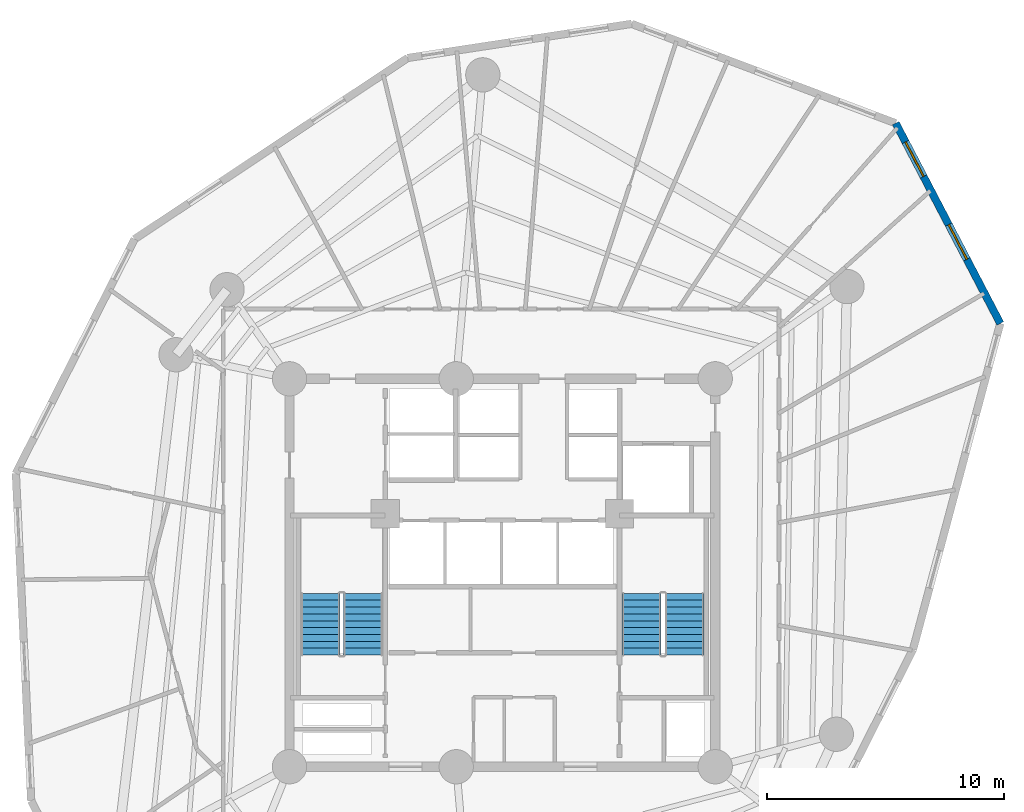
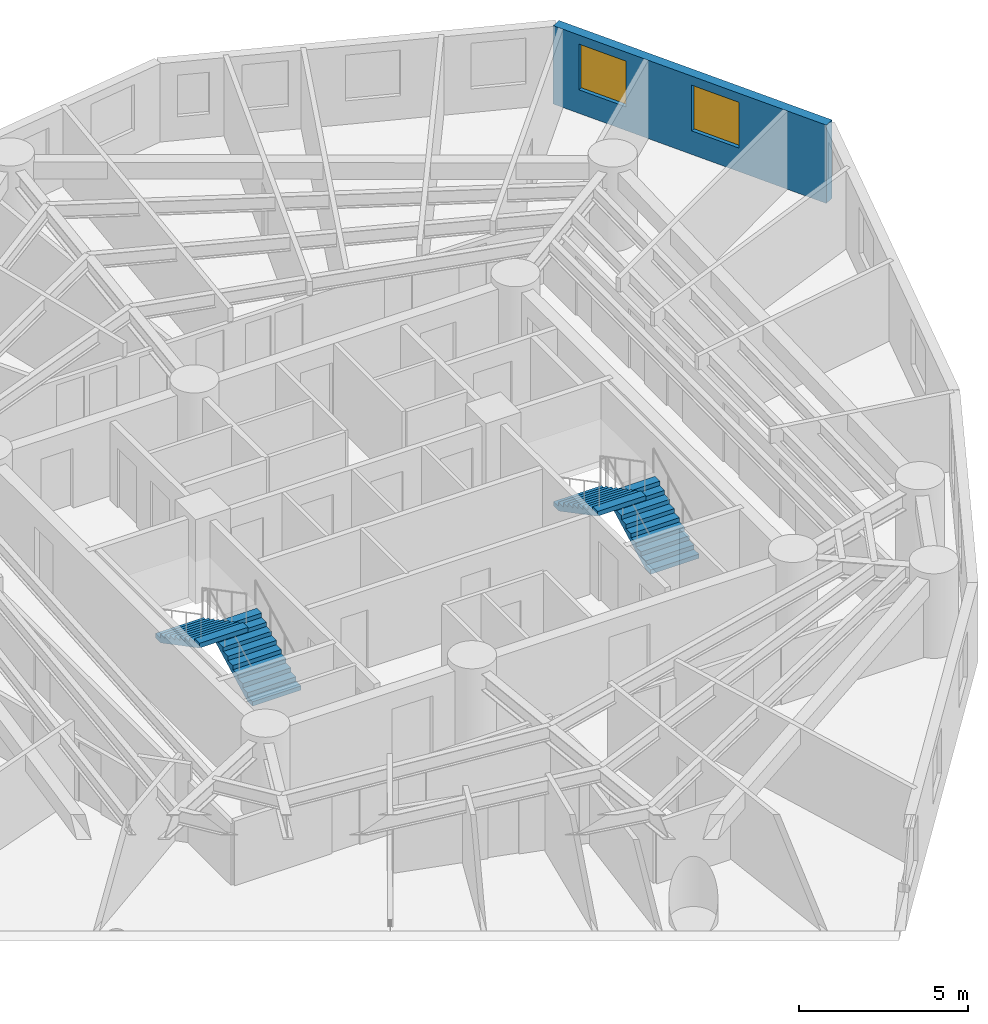
# One storey, part 7 of 8: 4 stair flights, 2 windows, 1 wall, 2 openings, 2 elements without a shape of their own.
"""IFC4 building model written with IfcOpenShell, lengths in metres."""

from ifc_helpers import new_model, si_unit, direction, frame, frame_2d, origin, origin_with_axes, place, context, subcontext, project, spatial, polyline, rectangle, outline, extrude, source, transform, mapped, material, layer, layer_set, type_object, element, fill, aggregate, save


model = new_model("IFC4")

# Units and contexts
model_context = context("Model", 3, precision=1e-05, world=origin(), true_north=direction((0.0, 1.0)))
body_context = subcontext(model_context, "Body", "Model", "MODEL_VIEW")
ifc_project = project(units=[si_unit("LENGTHUNIT", "METRE"), si_unit("AREAUNIT", "SQUARE_METRE"), si_unit("VOLUMEUNIT", "CUBIC_METRE"), si_unit("PLANEANGLEUNIT", "RADIAN"), si_unit("MASSUNIT", "GRAM", prefix="KILO")], contexts=[model_context])

# Site, building, storey
site_placement = place(None, origin())
site = spatial("IfcSite", under=ifc_project, at=site_placement, CompositionType="ELEMENT")
building_placement = place(site_placement, origin())
building = spatial("IfcBuilding", under=site, at=building_placement, Name="Karkom Vertical University and Central Library", CompositionType="ELEMENT")
storey_placement = place(building_placement, frame((0.0, 0.0, 120.60009765625)))
storey = spatial("IfcBuildingStorey", under=building, at=storey_placement, Name="L33", CompositionType="ELEMENT", Elevation=120.60009765625)

# Wall, openings, windows
ifc_material_1 = material(Name="Brick-faced precast concrete C45/55", Category="masonry")
ifc_layer = layer(ifc_material_1, 0.320068359375)
ifc_layer_set = layer_set([ifc_layer], Name="Brick-faced precast concrete C45/55")
wall_type = type_object("IfcWallType", Name="ENV-WL-BRK-320", PredefinedType="SOLIDWALL", material=ifc_layer_set)
wall_placement = place(storey_placement, frame((49.55322265625, 37.040283203125, 0.0), z_axis=(0.0, 0.0, 1.0), x_axis=(-0.463004274277, 0.886356046971, 0.0)))
wall = element("IfcWall", 1, at=wall_placement, inside=storey, type_object=wall_type, Name="Level 33 Brick-Faced Precast Facade Wall 09", PredefinedType="SOLIDWALL", context=body_context, shape_type="SweptSolid", body=[
    extrude(rectangle(XDim=9.5556640625, YDim=0.320068359375, at=frame_2d((4.77783203125, 0.0))), origin(), (0.0, 0.0, 1.0), 2.824951171875),
])
opening_1_placement = place(wall_placement, frame((3.06201171875, 0.0, 0.85009765625)))
opening_1 = element("IfcOpeningElement", 2, at=opening_1_placement, cuts=wall, Name="Opening WN-06", PredefinedType="OPENING", context=body_context, shape_type="SweptSolid", body=[
    extrude(rectangle(XDim=1.64990234375, YDim=1.64990234375, at=frame_2d((0.824951171875, 0.824951171875))), frame((0.0, 0.169921875, 0.0), z_axis=(0.0, -1.0, 0.0), x_axis=(1.0, 0.0, 0.0)), (0.0, 0.0, 1.0), 0.340087890625),
])
opening_2_placement = place(wall_placement, frame((7.00830078125, 0.0, 0.85009765625)))
opening_2 = element("IfcOpeningElement", 3, at=opening_2_placement, cuts=wall, Name="Opening WN-06", PredefinedType="OPENING", context=body_context, shape_type="SweptSolid", body=[
    extrude(rectangle(XDim=1.64990234375, YDim=1.64990234375, at=frame_2d((0.824951171875, 0.824951171875))), frame((0.0, 0.169921875, 0.0), z_axis=(0.0, -1.0, 0.0), x_axis=(1.0, 0.0, 0.0)), (0.0, 0.0, 1.0), 0.340087890625),
])
ifc_material_2 = material(Name="Aluminium thermal-break frame with solar-control IGU", Category="aluminium")
window_type = type_object("IfcWindowType", Name="ENV-WIN-WN-06", PartitioningType="SINGLE_PANEL", PredefinedType="WINDOW", material=ifc_material_2)
shared_shape = source(origin_with_axes(), body_context, "Body", "SweptSolid", [
    extrude(rectangle(XDim=1.64990234375, YDim=1.64990234375, at=frame_2d((0.824951171875, 0.824951171875))), frame((0.0, 0.030029296875, 0.0), z_axis=(0.0, -1.0, 0.0), x_axis=(1.0, 0.0, 0.0)), (0.0, 0.0, 1.0), 0.06005859375),
])
window_1_placement = place(opening_1_placement, origin())
window_1 = element("IfcWindow", 4, at=window_1_placement, inside=storey, type_object=window_type, Name="Level 33 Punched Window 9.1", OverallHeight=1.64990234375, OverallWidth=1.64990234375, PartitioningType="SINGLE_PANEL", PredefinedType="WINDOW", context=body_context, shape_type="MappedRepresentation", body=[
    mapped(shared_shape, transform((0.0, 0.0, 0.0), scale=1.0)),
])
fill(opening_1, window_1)
window_2_placement = place(opening_2_placement, origin())
window_2 = element("IfcWindow", 5, at=window_2_placement, inside=storey, type_object=window_type, Name="Level 33 Punched Window 9.2", OverallHeight=1.64990234375, OverallWidth=1.64990234375, PartitioningType="SINGLE_PANEL", PredefinedType="WINDOW", context=body_context, shape_type="MappedRepresentation", body=[
    mapped(shared_shape, transform((0.0, 0.0, 0.0), scale=1.0)),
])
fill(opening_2, window_2)

# Stair, stair flights
ifc_material_3 = material(Name="Concrete C45/55", Category="concrete")
stair_type = type_object("IfcStairType", Name="INT-STR-ST-MAIN", PredefinedType="HALF_TURN_STAIR", material=ifc_material_3)
stair_1_placement = place(storey_placement, origin())
stair_1 = element("IfcStair", 6, at=stair_1_placement, inside=storey, type_object=stair_type, Name="Level 33 Tower Protected Exit Stair ST-1", PredefinedType="HALF_TURN_STAIR")
stair_flight_type = type_object("IfcStairFlightType", Name="INT-SFL-ST-MAIN", PredefinedType="STRAIGHT", material=ifc_material_3)
stair_flight_1_placement = place(storey_placement, frame((22.614990234375, 23.02001953125, 0.0), z_axis=(0.0, 0.0, 1.0), x_axis=(0.0, 1.0, 0.0)))
stair_flight_1 = element("IfcStairFlight", 7, at=stair_flight_1_placement, type_object=stair_flight_type, Name="ST-1 flight 1", NumberOfRisers=10, NumberOfTreads=9, PredefinedType="STRAIGHT", RiserHeight=0.1525, TreadLength=0.29, context=body_context, shape_type="SweptSolid", body=[
    extrude(outline(polyline([(0.0, 0.0), (0.0, 0.152587890625), (0.2900390625, 0.152587890625), (0.2900390625, 0.304931640625), (0.580078125, 0.304931640625), (0.580078125, 0.45751953125), (0.8701171875, 0.45751953125), (0.8701171875, 0.610107421875), (1.159912109375, 0.610107421875), (1.159912109375, 0.762451171875), (1.449951171875, 0.762451171875), (1.449951171875, 0.9150390625), (1.739990234375, 0.9150390625), (1.739990234375, 1.0673828125), (2.030029296875, 1.0673828125), (2.030029296875, 1.219970703125), (2.320068359375, 1.219970703125), (2.320068359375, 1.37255859375), (2.610107421875, 1.37255859375), (2.610107421875, 1.52490234375), (2.610107421875, 1.203125), (0.322021484375, 0.0), (0.0, 0.0)])), frame((0.0, 0.824951171875, 0.0), z_axis=(0.0, -1.0, 0.0), x_axis=(1.0, 0.0, 0.0)), (0.0, 0.0, 1.0), 1.64990234375),
])
stair_flight_2_placement = place(storey_placement, frame((20.804931640625, 25.6298828125, 1.52490234375), z_axis=(0.0, 0.0, 1.0), x_axis=(0.0, -1.0, 0.0)))
stair_flight_2 = element("IfcStairFlight", 8, at=stair_flight_2_placement, type_object=stair_flight_type, Name="ST-1 flight 2", NumberOfRisers=10, NumberOfTreads=9, PredefinedType="STRAIGHT", RiserHeight=0.1525, TreadLength=0.29, context=body_context, shape_type="SweptSolid", body=[
    extrude(outline(polyline([(0.0, 0.0), (0.0, 0.152587890625), (0.2900390625, 0.152587890625), (0.2900390625, 0.304931640625), (0.580078125, 0.304931640625), (0.580078125, 0.45751953125), (0.8701171875, 0.45751953125), (0.8701171875, 0.610107421875), (1.159912109375, 0.610107421875), (1.159912109375, 0.762451171875), (1.449951171875, 0.762451171875), (1.449951171875, 0.9150390625), (1.739990234375, 0.9150390625), (1.739990234375, 1.0673828125), (2.030029296875, 1.0673828125), (2.030029296875, 1.219970703125), (2.320068359375, 1.219970703125), (2.320068359375, 1.37255859375), (2.610107421875, 1.37255859375), (2.610107421875, 1.52490234375), (2.610107421875, 1.203125), (0.322021484375, 0.0), (0.0, 0.0)])), frame((0.0, 0.824951171875, 0.0), z_axis=(0.0, -1.0, 0.0), x_axis=(1.0, 0.0, 0.0)), (0.0, 0.0, 1.0), 1.64990234375),
])
aggregate(stair_1, [stair_flight_1, stair_flight_2])

stair_2_placement = place(storey_placement, origin())
stair_2 = element("IfcStair", 9, at=stair_2_placement, inside=storey, type_object=stair_type, Name="Level 33 Tower Protected Exit Stair ST-2", PredefinedType="HALF_TURN_STAIR")
stair_flight_3_placement = place(storey_placement, frame((36.195068359375, 23.02001953125, 0.0), z_axis=(0.0, 0.0, 1.0), x_axis=(0.0, 1.0, 0.0)))
stair_flight_3 = element("IfcStairFlight", 10, at=stair_flight_3_placement, type_object=stair_flight_type, Name="ST-2 flight 1", NumberOfRisers=10, NumberOfTreads=9, PredefinedType="STRAIGHT", RiserHeight=0.1525, TreadLength=0.29, context=body_context, shape_type="SweptSolid", body=[
    extrude(outline(polyline([(0.0, 0.0), (0.0, 0.152587890625), (0.2900390625, 0.152587890625), (0.2900390625, 0.304931640625), (0.580078125, 0.304931640625), (0.580078125, 0.45751953125), (0.8701171875, 0.45751953125), (0.8701171875, 0.610107421875), (1.159912109375, 0.610107421875), (1.159912109375, 0.762451171875), (1.449951171875, 0.762451171875), (1.449951171875, 0.9150390625), (1.739990234375, 0.9150390625), (1.739990234375, 1.0673828125), (2.030029296875, 1.0673828125), (2.030029296875, 1.219970703125), (2.320068359375, 1.219970703125), (2.320068359375, 1.37255859375), (2.610107421875, 1.37255859375), (2.610107421875, 1.52490234375), (2.610107421875, 1.203125), (0.322021484375, 0.0), (0.0, 0.0)])), frame((0.0, 0.824951171875, 0.0), z_axis=(0.0, -1.0, 0.0), x_axis=(1.0, 0.0, 0.0)), (0.0, 0.0, 1.0), 1.64990234375),
])
stair_flight_4_placement = place(storey_placement, frame((34.385009765625, 25.6298828125, 1.52490234375), z_axis=(0.0, 0.0, 1.0), x_axis=(0.0, -1.0, 0.0)))
stair_flight_4 = element("IfcStairFlight", 11, at=stair_flight_4_placement, type_object=stair_flight_type, Name="ST-2 flight 2", NumberOfRisers=10, NumberOfTreads=9, PredefinedType="STRAIGHT", RiserHeight=0.1525, TreadLength=0.29, context=body_context, shape_type="SweptSolid", body=[
    extrude(outline(polyline([(0.0, 0.0), (0.0, 0.152587890625), (0.2900390625, 0.152587890625), (0.2900390625, 0.304931640625), (0.580078125, 0.304931640625), (0.580078125, 0.45751953125), (0.8701171875, 0.45751953125), (0.8701171875, 0.610107421875), (1.159912109375, 0.610107421875), (1.159912109375, 0.762451171875), (1.449951171875, 0.762451171875), (1.449951171875, 0.9150390625), (1.739990234375, 0.9150390625), (1.739990234375, 1.0673828125), (2.030029296875, 1.0673828125), (2.030029296875, 1.219970703125), (2.320068359375, 1.219970703125), (2.320068359375, 1.37255859375), (2.610107421875, 1.37255859375), (2.610107421875, 1.52490234375), (2.610107421875, 1.203125), (0.322021484375, 0.0), (0.0, 0.0)])), frame((0.0, 0.824951171875, 0.0), z_axis=(0.0, -1.0, 0.0), x_axis=(1.0, 0.0, 0.0)), (0.0, 0.0, 1.0), 1.64990234375),
])
aggregate(stair_2, [stair_flight_3, stair_flight_4])

save(model, "model.ifc")
